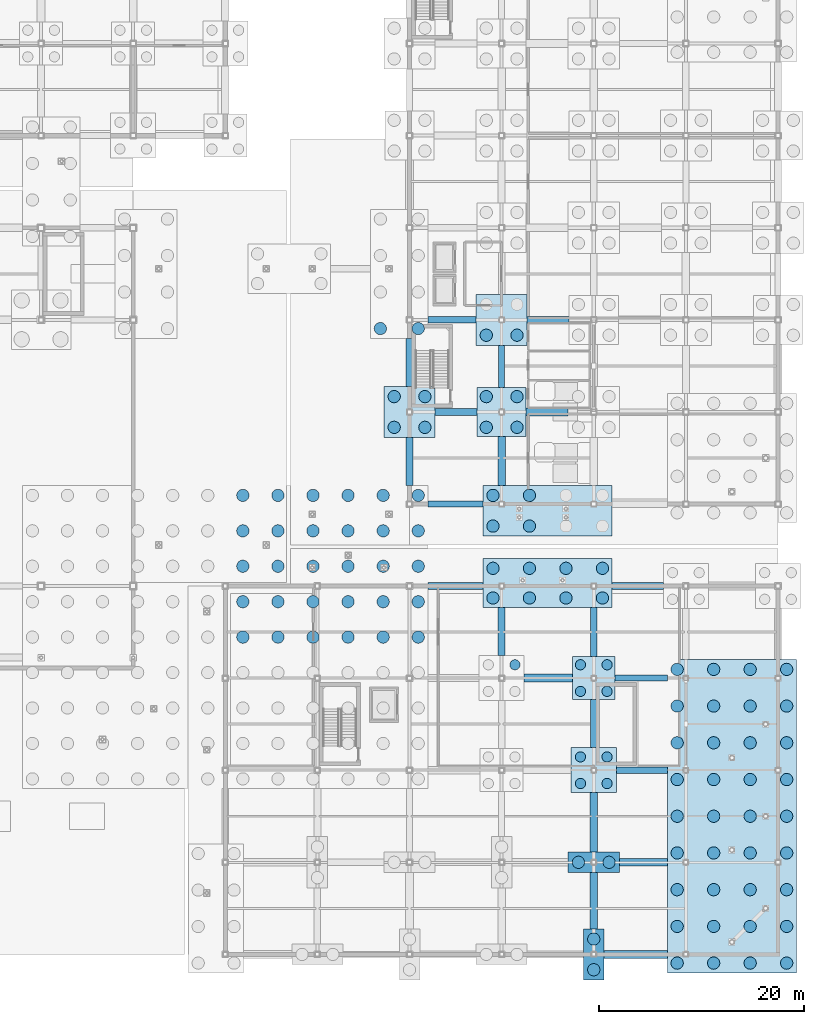
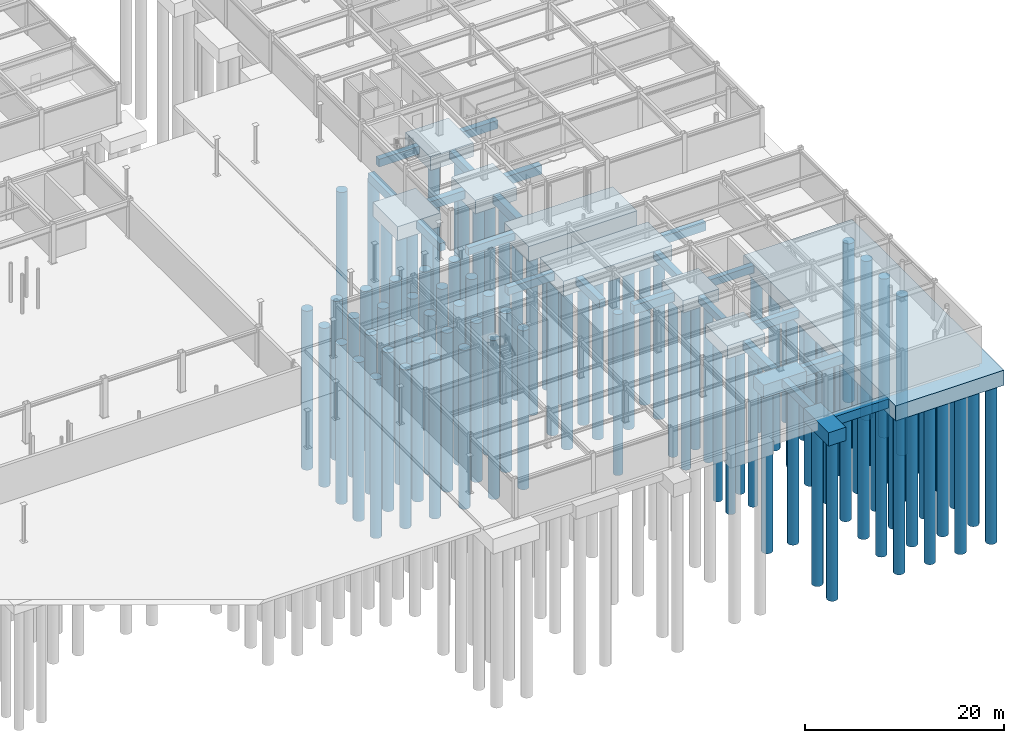
# One storey, part 9 of 74: 103 piles, 31 footings.
"""IFC4 building model written with IfcOpenShell, lengths in metres."""

from ifc_helpers import new_model, si_unit, direction, frame, origin, origin_2d, place, context, subcontext, project, spatial, polyline, rectangle, circle, outline, extrude, material, material_profile, profile_set, type_object, element, save


model = new_model("IFC4")

# Units and contexts
model_context = context("Model", 3, precision=1e-05, world=origin(), true_north=direction((0.0, 1.0)))
body_context = subcontext(model_context, "Body", "Model", "MODEL_VIEW")
ifc_project = project(units=[si_unit("LENGTHUNIT", "METRE"), si_unit("AREAUNIT", "SQUARE_METRE"), si_unit("VOLUMEUNIT", "CUBIC_METRE"), si_unit("PLANEANGLEUNIT", "RADIAN"), si_unit("MASSUNIT", "GRAM", prefix="KILO")], contexts=[model_context])

# Site, building, storey
site_placement = place(None, origin())
site = spatial("IfcSite", under=ifc_project, at=site_placement, CompositionType="ELEMENT")
building_placement = place(site_placement, origin())
building = spatial("IfcBuilding", under=site, at=building_placement, Name="Suzunagisa Mobility Hub", CompositionType="ELEMENT")
storey_placement = place(building_placement, frame((0.0, 0.0, -4.800048828125)))
storey = spatial("IfcBuildingStorey", under=building, at=storey_placement, Name="B1", CompositionType="ELEMENT", Elevation=-4.800048828125)

# Piles
ifc_material_1 = material(Name="Concrete C30/37", Category="concrete")
ifc_material_profile_1 = material_profile(ifc_material_1, circle(Radius=0.60009765625, at=origin_2d()), Name="BORED PILE D1200")
ifc_profile_set_1 = profile_set([ifc_material_profile_1], Name="Concrete C30/37")
pile_type_1 = type_object("IfcPileType", Name="Bored Pile PL-01 D1200", PredefinedType="BORED", material=ifc_profile_set_1)
for number, where, z_axis, x_axis, name in (
    (1, (127.713623046875, 31.0, -2.14990234375), (0.0, 0.0, -1.0), (1.0, 0.0, 0.0), "Bored Pile 82.59"),
    (2, (127.713623046875, 34.46240234375, -2.14990234375), (0.0, 0.0, -1.0), (1.0, 0.0, 0.0), "Bored Pile 82.60"),
    (3, (127.713623046875, 37.925048828125, -2.14990234375), (0.0, 0.0, -1.0), (1.0, 0.0, 0.0), "Bored Pile 82.61"),
    (4, (127.713623046875, 41.387451171875, -2.14990234375), (0.0, 0.0, -1.0), (1.0, 0.0, 0.0), "Bored Pile 82.62"),
    (5, (127.713623046875, 44.85009765625, -2.14990234375), (0.0, 0.0, -1.0), (1.0, 0.0, 0.0), "Bored Pile 82.63"),
    (6, (131.140869140625, 31.0, -2.14990234375), (0.0, 0.0, -1.0), (1.0, 0.0, 0.0), "Bored Pile 82.68"),
    (7, (131.140869140625, 34.46240234375, -2.14990234375), (0.0, 0.0, -1.0), (1.0, 0.0, 0.0), "Bored Pile 82.69"),
    (8, (131.140869140625, 37.925048828125, -2.14990234375), (0.0, 0.0, -1.0), (1.0, 0.0, 0.0), "Bored Pile 82.70"),
    (9, (131.140869140625, 41.387451171875, -2.14990234375), (0.0, 0.0, -1.0), (1.0, 0.0, 0.0), "Bored Pile 82.71"),
    (10, (131.140869140625, 44.85009765625, -2.14990234375), (0.0, 0.0, -1.0), (1.0, 0.0, 0.0), "Bored Pile 82.72"),
    (11, (134.568115234375, 31.0, -2.14990234375), (0.0, 0.0, -1.0), (1.0, 0.0, 0.0), "Bored Pile 82.77"),
    (12, (134.568115234375, 34.46240234375, -2.14990234375), (0.0, 0.0, -1.0), (1.0, 0.0, 0.0), "Bored Pile 82.78"),
    (13, (134.568115234375, 37.925048828125, -2.14990234375), (0.0, 0.0, -1.0), (1.0, 0.0, 0.0), "Bored Pile 82.79"),
    (14, (134.568115234375, 41.387451171875, -2.14990234375), (0.0, 0.0, -1.0), (1.0, 0.0, 0.0), "Bored Pile 82.80"),
    (15, (134.568115234375, 44.85009765625, -2.14990234375), (0.0, 0.0, -1.0), (1.0, 0.0, 0.0), "Bored Pile 82.81"),
    (16, (137.99560546875, 31.0, -2.14990234375), (0.0, 0.0, -1.0), (1.0, 0.0, 0.0), "Bored Pile 82.86"),
    (17, (137.99560546875, 34.46240234375, -2.14990234375), (0.0, 0.0, -1.0), (1.0, 0.0, 0.0), "Bored Pile 82.87"),
    (18, (137.99560546875, 37.925048828125, -2.14990234375), (0.0, 0.0, -1.0), (1.0, 0.0, 0.0), "Bored Pile 82.88"),
    (19, (137.99560546875, 41.387451171875, -2.14990234375), (0.0, 0.0, -1.0), (1.0, 0.0, 0.0), "Bored Pile 82.89"),
    (20, (137.99560546875, 44.85009765625, -2.14990234375), (0.0, 0.0, -1.0), (1.0, 0.0, 0.0), "Bored Pile 82.90"),
    (21, (141.422607421875, 31.0, -2.14990234375), (0.0, 0.0, -1.0), (1.0, 0.0, 0.0), "Bored Pile 82.95"),
    (22, (141.422607421875, 34.46240234375, -2.14990234375), (0.0, 0.0, -1.0), (1.0, 0.0, 0.0), "Bored Pile 82.96"),
    (23, (141.422607421875, 37.925048828125, -2.14990234375), (0.0, 0.0, -1.0), (1.0, 0.0, 0.0), "Bored Pile 82.97"),
    (24, (141.422607421875, 41.387451171875, -2.14990234375), (0.0, 0.0, -1.0), (1.0, 0.0, 0.0), "Bored Pile 82.98"),
    (25, (141.422607421875, 44.85009765625, -2.14990234375), (0.0, 0.0, -1.0), (1.0, 0.0, 0.0), "Bored Pile 82.99"),
    (26, (144.85009765625, 31.0, -2.14990234375), (0.0, 0.0, -1.0), (1.0, 0.0, 0.0), "Bored Pile 82.104"),
    (27, (144.85009765625, 34.46240234375, -2.14990234375), (0.0, 0.0, -1.0), (1.0, 0.0, 0.0), "Bored Pile 82.105"),
    (28, (144.85009765625, 37.925048828125, -2.14990234375), (0.0, 0.0, -1.0), (1.0, 0.0, 0.0), "Bored Pile 82.106"),
    (29, (144.85009765625, 41.387451171875, -2.14990234375), (0.0, 0.0, -1.0), (1.0, 0.0, 0.0), "Bored Pile 82.107"),
    (30, (144.85009765625, 44.85009765625, -2.14990234375), (0.0, 0.0, -1.0), (1.0, 0.0, 0.0), "Bored Pile 82.108"),
    (31, (141.14990234375, 61.14990234375, -2.14990234375), (0.0, 0.0, -1.0), (1.0, 0.0, 0.0), "Bored Pile 101.1"),
    (32, (144.85009765625, 61.14990234375, -2.14990234375), (0.0, 0.0, -1.0), (1.0, 0.0, 0.0), "Bored Pile 101.5"),
):
    element("IfcPile", number, at=place(storey_placement, frame(where, z_axis=z_axis, x_axis=x_axis)), inside=storey, type_object=pile_type_1, Name=name, PredefinedType="BORED", context=body_context, shape_type="SweptSolid", body=[
        extrude(circle(Radius=0.60009765625, at=origin_2d()), origin(), (0.0, 0.0, 1.0), 19.550048828125),
    ])
for number, where, z_axis, x_axis, name in (
    (33, (142.5, 51.5, -2.0), (0.0, 0.0, -1.0), (1.0, 0.0, 0.0), "Bored Pile 104.1"),
    (34, (145.5, 51.5, -2.0), (0.0, 0.0, -1.0), (1.0, 0.0, 0.0), "Bored Pile 104.2"),
    (35, (142.5, 54.5, -2.0), (0.0, 0.0, -1.0), (1.0, 0.0, 0.0), "Bored Pile 104.3"),
    (36, (145.5, 54.5, -2.0), (0.0, 0.0, -1.0), (1.0, 0.0, 0.0), "Bored Pile 104.4"),
):
    element("IfcPile", number, at=place(storey_placement, frame(where, z_axis=z_axis, x_axis=x_axis)), inside=storey, type_object=pile_type_1, Name=name, PredefinedType="BORED", context=body_context, shape_type="SweptSolid", body=[
        extrude(circle(Radius=0.60009765625, at=origin_2d()), origin(), (0.0, 0.0, 1.0), 19.699951171875),
    ])
for number, where, z_axis, x_axis, name in (
    (37, (152.14990234375, 34.824951171875, -2.14990234375), (0.0, 0.0, -1.0), (1.0, 0.0, 0.0), "Bored Pile 113.1"),
    (38, (152.14990234375, 37.72509765625, -2.14990234375), (0.0, 0.0, -1.0), (1.0, 0.0, 0.0), "Bored Pile 113.2"),
    (39, (155.716796875, 34.824951171875, -2.14990234375), (0.0, 0.0, -1.0), (1.0, 0.0, 0.0), "Bored Pile 113.3"),
    (40, (155.716796875, 37.72509765625, -2.14990234375), (0.0, 0.0, -1.0), (1.0, 0.0, 0.0), "Bored Pile 113.4"),
    (41, (159.283203125, 34.824951171875, -2.14990234375), (0.0, 0.0, -1.0), (1.0, 0.0, 0.0), "Bored Pile 113.5"),
    (42, (159.283203125, 37.72509765625, -2.14990234375), (0.0, 0.0, -1.0), (1.0, 0.0, 0.0), "Bored Pile 113.6"),
    (43, (162.85009765625, 34.824951171875, -2.14990234375), (0.0, 0.0, -1.0), (1.0, 0.0, 0.0), "Bored Pile 113.7"),
    (44, (162.85009765625, 37.72509765625, -2.14990234375), (0.0, 0.0, -1.0), (1.0, 0.0, 0.0), "Bored Pile 113.8"),
    (45, (152.14990234375, 41.85009765625, -2.14990234375), (0.0, 0.0, -1.0), (1.0, 0.0, 0.0), "Bored Pile 114.1"),
    (46, (152.14990234375, 44.85009765625, -2.14990234375), (0.0, 0.0, -1.0), (1.0, 0.0, 0.0), "Bored Pile 114.2"),
    (47, (155.716796875, 41.85009765625, -2.14990234375), (0.0, 0.0, -1.0), (1.0, 0.0, 0.0), "Bored Pile 114.3"),
    (48, (155.716796875, 44.85009765625, -2.14990234375), (0.0, 0.0, -1.0), (1.0, 0.0, 0.0), "Bored Pile 114.4"),
):
    element("IfcPile", number, at=place(storey_placement, frame(where, z_axis=z_axis, x_axis=x_axis)), inside=storey, type_object=pile_type_1, Name=name, PredefinedType="BORED", context=body_context, shape_type="SweptSolid", body=[
        extrude(circle(Radius=0.60009765625, at=origin_2d()), origin(), (0.0, 0.0, 1.0), 19.550048828125),
    ])
for number, where, z_axis, x_axis, name in (
    (49, (151.5, 51.5, -1.949951171875), (0.0, 0.0, -1.0), (1.0, 0.0, 0.0), "Bored Pile 115.1"),
    (50, (154.5, 51.5, -1.949951171875), (0.0, 0.0, -1.0), (1.0, 0.0, 0.0), "Bored Pile 115.2"),
    (51, (151.5, 54.5, -1.949951171875), (0.0, 0.0, -1.0), (1.0, 0.0, 0.0), "Bored Pile 115.3"),
    (52, (154.5, 54.5, -1.949951171875), (0.0, 0.0, -1.0), (1.0, 0.0, 0.0), "Bored Pile 115.4"),
):
    element("IfcPile", number, at=place(storey_placement, frame(where, z_axis=z_axis, x_axis=x_axis)), inside=storey, type_object=pile_type_1, Name=name, PredefinedType="BORED", context=body_context, shape_type="SweptSolid", body=[
        extrude(circle(Radius=0.60009765625, at=origin_2d()), origin(), (0.0, 0.0, 1.0), 19.75),
    ])
for number, where, z_axis, x_axis, name in (
    (53, (151.5, 60.5, -2.0), (0.0, 0.0, -1.0), (1.0, 0.0, 0.0), "Bored Pile 116.1"),
    (54, (154.5, 60.5, -2.0), (0.0, 0.0, -1.0), (1.0, 0.0, 0.0), "Bored Pile 116.2"),
):
    element("IfcPile", number, at=place(storey_placement, frame(where, z_axis=z_axis, x_axis=x_axis)), inside=storey, type_object=pile_type_1, Name=name, PredefinedType="BORED", context=body_context, shape_type="SweptSolid", body=[
        extrude(circle(Radius=0.60009765625, at=origin_2d()), origin(), (0.0, 0.0, 1.0), 19.699951171875),
    ])
for number, where, z_axis, x_axis, name in (
    (55, (162.0, -1.5, -1.949951171875), (0.0, 0.0, -1.0), (1.0, 0.0, 0.0), "Bored Pile 122.1"),
    (56, (162.0, 1.5, -1.949951171875), (0.0, 0.0, -1.0), (1.0, 0.0, 0.0), "Bored Pile 122.2"),
):
    element("IfcPile", number, at=place(storey_placement, frame(where, z_axis=z_axis, x_axis=x_axis)), inside=storey, type_object=pile_type_1, Name=name, PredefinedType="BORED", context=body_context, shape_type="SweptSolid", body=[
        extrude(circle(Radius=0.60009765625, at=origin_2d()), origin(), (0.0, 0.0, 1.0), 19.75),
    ])
for number, where, z_axis, x_axis, name in (
    (57, (160.5, 9.0, -1.89990234375), (0.0, 0.0, -1.0), (1.0, 0.0, 0.0), "Bored Pile 123.1"),
    (58, (163.5, 9.0, -1.89990234375), (0.0, 0.0, -1.0), (1.0, 0.0, 0.0), "Bored Pile 123.2"),
):
    element("IfcPile", number, at=place(storey_placement, frame(where, z_axis=z_axis, x_axis=x_axis)), inside=storey, type_object=pile_type_1, Name=name, PredefinedType="BORED", context=body_context, shape_type="SweptSolid", body=[
        extrude(circle(Radius=0.60009765625, at=origin_2d()), origin(), (0.0, 0.0, 1.0), 19.800048828125),
    ])
for number, where, z_axis, x_axis, name in (
    (59, (170.14990234375, -0.85009765625, -2.14990234375), (0.0, 0.0, -1.0), (1.0, 0.0, 0.0), "Bored Pile 133.1"),
    (60, (170.14990234375, 2.737548828125, -2.14990234375), (0.0, 0.0, -1.0), (1.0, 0.0, 0.0), "Bored Pile 133.2"),
    (61, (170.14990234375, 6.324951171875, -2.14990234375), (0.0, 0.0, -1.0), (1.0, 0.0, 0.0), "Bored Pile 133.3"),
    (62, (170.14990234375, 9.91259765625, -2.14990234375), (0.0, 0.0, -1.0), (1.0, 0.0, 0.0), "Bored Pile 133.4"),
    (63, (170.14990234375, 13.5, -2.14990234375), (0.0, 0.0, -1.0), (1.0, 0.0, 0.0), "Bored Pile 133.5"),
    (64, (170.14990234375, 17.08740234375, -2.14990234375), (0.0, 0.0, -1.0), (1.0, 0.0, 0.0), "Bored Pile 133.6"),
    (65, (170.14990234375, 20.675048828125, -2.14990234375), (0.0, 0.0, -1.0), (1.0, 0.0, 0.0), "Bored Pile 133.7"),
    (66, (170.14990234375, 24.262451171875, -2.14990234375), (0.0, 0.0, -1.0), (1.0, 0.0, 0.0), "Bored Pile 133.8"),
    (67, (170.14990234375, 27.85009765625, -2.14990234375), (0.0, 0.0, -1.0), (1.0, 0.0, 0.0), "Bored Pile 133.9"),
    (68, (173.716796875, -0.85009765625, -2.14990234375), (0.0, 0.0, -1.0), (1.0, 0.0, 0.0), "Bored Pile 133.10"),
    (69, (173.716796875, 2.737548828125, -2.14990234375), (0.0, 0.0, -1.0), (1.0, 0.0, 0.0), "Bored Pile 133.11"),
    (70, (173.716796875, 6.324951171875, -2.14990234375), (0.0, 0.0, -1.0), (1.0, 0.0, 0.0), "Bored Pile 133.12"),
    (71, (173.716796875, 9.91259765625, -2.14990234375), (0.0, 0.0, -1.0), (1.0, 0.0, 0.0), "Bored Pile 133.13"),
    (72, (173.716796875, 13.5, -2.14990234375), (0.0, 0.0, -1.0), (1.0, 0.0, 0.0), "Bored Pile 133.14"),
    (73, (173.716796875, 17.08740234375, -2.14990234375), (0.0, 0.0, -1.0), (1.0, 0.0, 0.0), "Bored Pile 133.15"),
    (74, (173.716796875, 20.675048828125, -2.14990234375), (0.0, 0.0, -1.0), (1.0, 0.0, 0.0), "Bored Pile 133.16"),
    (75, (173.716796875, 24.262451171875, -2.14990234375), (0.0, 0.0, -1.0), (1.0, 0.0, 0.0), "Bored Pile 133.17"),
    (76, (173.716796875, 27.85009765625, -2.14990234375), (0.0, 0.0, -1.0), (1.0, 0.0, 0.0), "Bored Pile 133.18"),
    (77, (177.283203125, -0.85009765625, -2.14990234375), (0.0, 0.0, -1.0), (1.0, 0.0, 0.0), "Bored Pile 133.19"),
    (78, (177.283203125, 2.737548828125, -2.14990234375), (0.0, 0.0, -1.0), (1.0, 0.0, 0.0), "Bored Pile 133.20"),
    (79, (177.283203125, 6.324951171875, -2.14990234375), (0.0, 0.0, -1.0), (1.0, 0.0, 0.0), "Bored Pile 133.21"),
    (80, (177.283203125, 9.91259765625, -2.14990234375), (0.0, 0.0, -1.0), (1.0, 0.0, 0.0), "Bored Pile 133.22"),
    (81, (177.283203125, 13.5, -2.14990234375), (0.0, 0.0, -1.0), (1.0, 0.0, 0.0), "Bored Pile 133.23"),
    (82, (177.283203125, 17.08740234375, -2.14990234375), (0.0, 0.0, -1.0), (1.0, 0.0, 0.0), "Bored Pile 133.24"),
    (83, (177.283203125, 20.675048828125, -2.14990234375), (0.0, 0.0, -1.0), (1.0, 0.0, 0.0), "Bored Pile 133.25"),
    (84, (177.283203125, 24.262451171875, -2.14990234375), (0.0, 0.0, -1.0), (1.0, 0.0, 0.0), "Bored Pile 133.26"),
    (85, (177.283203125, 27.85009765625, -2.14990234375), (0.0, 0.0, -1.0), (1.0, 0.0, 0.0), "Bored Pile 133.27"),
    (86, (180.85009765625, -0.85009765625, -2.14990234375), (0.0, 0.0, -1.0), (1.0, 0.0, 0.0), "Bored Pile 133.28"),
    (87, (180.85009765625, 2.737548828125, -2.14990234375), (0.0, 0.0, -1.0), (1.0, 0.0, 0.0), "Bored Pile 133.29"),
    (88, (180.85009765625, 6.324951171875, -2.14990234375), (0.0, 0.0, -1.0), (1.0, 0.0, 0.0), "Bored Pile 133.30"),
    (89, (180.85009765625, 9.91259765625, -2.14990234375), (0.0, 0.0, -1.0), (1.0, 0.0, 0.0), "Bored Pile 133.31"),
    (90, (180.85009765625, 13.5, -2.14990234375), (0.0, 0.0, -1.0), (1.0, 0.0, 0.0), "Bored Pile 133.32"),
    (91, (180.85009765625, 17.08740234375, -2.14990234375), (0.0, 0.0, -1.0), (1.0, 0.0, 0.0), "Bored Pile 133.33"),
    (92, (180.85009765625, 20.675048828125, -2.14990234375), (0.0, 0.0, -1.0), (1.0, 0.0, 0.0), "Bored Pile 133.34"),
    (93, (180.85009765625, 24.262451171875, -2.14990234375), (0.0, 0.0, -1.0), (1.0, 0.0, 0.0), "Bored Pile 133.35"),
    (94, (180.85009765625, 27.85009765625, -2.14990234375), (0.0, 0.0, -1.0), (1.0, 0.0, 0.0), "Bored Pile 133.36"),
):
    element("IfcPile", number, at=place(storey_placement, frame(where, z_axis=z_axis, x_axis=x_axis)), inside=storey, type_object=pile_type_1, Name=name, PredefinedType="BORED", context=body_context, shape_type="SweptSolid", body=[
        extrude(circle(Radius=0.60009765625, at=origin_2d()), origin(), (0.0, 0.0, 1.0), 19.550048828125),
    ])
ifc_material_profile_2 = material_profile(ifc_material_1, circle(Radius=0.5, at=origin_2d()), Name="BORED PILE D1000")
ifc_profile_set_2 = profile_set([ifc_material_profile_2], Name="Concrete C30/37")
pile_type_2 = type_object("IfcPileType", Name="Bored Pile PL-02 D1000", PredefinedType="BORED", material=ifc_profile_set_2)
for number, where, z_axis, x_axis, name in (
    (95, (154.300048828125, 28.300048828125, -1.89990234375), (0.0, 0.0, -1.0), (1.0, 0.0, 0.0), "Bored Pile 112.4"),
    (96, (160.699951171875, 16.699951171875, -1.89990234375), (0.0, 0.0, -1.0), (1.0, 0.0, 0.0), "Bored Pile 124.1"),
    (97, (163.300048828125, 16.699951171875, -1.89990234375), (0.0, 0.0, -1.0), (1.0, 0.0, 0.0), "Bored Pile 124.2"),
    (98, (160.699951171875, 19.300048828125, -1.89990234375), (0.0, 0.0, -1.0), (1.0, 0.0, 0.0), "Bored Pile 124.3"),
    (99, (163.300048828125, 19.300048828125, -1.89990234375), (0.0, 0.0, -1.0), (1.0, 0.0, 0.0), "Bored Pile 124.4"),
):
    element("IfcPile", number, at=place(storey_placement, frame(where, z_axis=z_axis, x_axis=x_axis)), inside=storey, type_object=pile_type_2, Name=name, PredefinedType="BORED", context=body_context, shape_type="SweptSolid", body=[
        extrude(circle(Radius=0.5, at=origin_2d()), origin(), (0.0, 0.0, 1.0), 19.800048828125),
    ])
for number, where, z_axis, x_axis, name in (
    (100, (160.699951171875, 25.699951171875, -1.800048828125), (0.0, 0.0, -1.0), (1.0, 0.0, 0.0), "Bored Pile 125.1"),
    (101, (163.300048828125, 25.699951171875, -1.800048828125), (0.0, 0.0, -1.0), (1.0, 0.0, 0.0), "Bored Pile 125.2"),
    (102, (160.699951171875, 28.300048828125, -1.800048828125), (0.0, 0.0, -1.0), (1.0, 0.0, 0.0), "Bored Pile 125.3"),
    (103, (163.300048828125, 28.300048828125, -1.800048828125), (0.0, 0.0, -1.0), (1.0, 0.0, 0.0), "Bored Pile 125.4"),
):
    element("IfcPile", number, at=place(storey_placement, frame(where, z_axis=z_axis, x_axis=x_axis)), inside=storey, type_object=pile_type_2, Name=name, PredefinedType="BORED", context=body_context, shape_type="SweptSolid", body=[
        extrude(circle(Radius=0.5, at=origin_2d()), origin(), (0.0, 0.0, 1.0), 19.89990234375),
    ])

# Footings
ifc_material_2 = material(Name="Concrete C35/45", Category="concrete")
footing_type_1 = type_object("IfcFootingType", Name="Combined Prow Pile Cap FR-22 12600x4800x1850", PredefinedType="PILE_CAP", material=ifc_material_2)
footing_1_placement = place(storey_placement, frame((157.5, 36.27490234375, -2.300048828125), z_axis=(0.0, 0.0, 1.0), x_axis=(1.0, 0.0, 0.0)))
element("IfcFooting", 104, at=footing_1_placement, inside=storey, type_object=footing_type_1, Name="Combined Prow Pile Cap 113", PredefinedType="PILE_CAP", context=body_context, shape_type="SweptSolid", body=[
    extrude(rectangle(XDim=12.60009765625, YDim=4.800048828125, at=origin_2d()), origin(), (0.0, 0.0, 1.0), 1.85009765625),
])
footing_type_2 = type_object("IfcFootingType", Name="Combined Prow Pile Cap FR-23 12600x4900x1850", PredefinedType="PILE_CAP", material=ifc_material_2)
footing_2_placement = place(storey_placement, frame((157.5, 43.35009765625, -2.300048828125), z_axis=(0.0, 0.0, 1.0), x_axis=(1.0, 0.0, 0.0)))
element("IfcFooting", 105, at=footing_2_placement, inside=storey, type_object=footing_type_2, Name="Combined Prow Pile Cap 114", PredefinedType="PILE_CAP", context=body_context, shape_type="SweptSolid", body=[
    extrude(rectangle(XDim=12.60009765625, YDim=4.89990234375, at=origin_2d()), origin(), (0.0, 0.0, 1.0), 1.85009765625),
])
footing_type_3 = type_object("IfcFootingType", Name="Combined Prow Pile Cap FR-24 12600x30600x1850", PredefinedType="PILE_CAP", material=ifc_material_2)
footing_3_placement = place(storey_placement, frame((175.5, 13.5, -2.300048828125), z_axis=(0.0, 0.0, 1.0), x_axis=(1.0, 0.0, 0.0)))
element("IfcFooting", 106, at=footing_3_placement, inside=storey, type_object=footing_type_3, Name="Combined Prow Pile Cap 133", PredefinedType="PILE_CAP", context=body_context, shape_type="SweptSolid", body=[
    extrude(rectangle(XDim=12.60009765625, YDim=30.60009765625, at=origin_2d()), origin(), (0.0, 0.0, 1.0), 1.85009765625),
])
footing_type_4 = type_object("IfcFootingType", Name="Ground Tie Beam FT-03 750x1100", PredefinedType="FOOTING_BEAM", material=ifc_material_2)
footing_4_placement = place(storey_placement, frame((0.0, 0.0, -1.550048828125)))
element("IfcFooting", 107, at=footing_4_placement, inside=storey, type_object=footing_type_4, Name="Foundation Tie Beam TBX-8", PredefinedType="FOOTING_BEAM", context=body_context, shape_type="SweptSolid", body=[
    extrude(outline(polyline([(163.0, -0.375), (169.199951171875, -0.375), (169.199951171875, 0.375), (163.0, 0.375), (163.0, -0.375)])), origin(), (0.0, 0.0, 1.0), 1.10009765625),
])
footing_5_placement = place(storey_placement, frame((0.0, 0.0, -1.550048828125)))
element("IfcFooting", 108, at=footing_5_placement, inside=storey, type_object=footing_type_4, Name="Foundation Tie Beam TBX-16", PredefinedType="FOOTING_BEAM", context=body_context, shape_type="SweptSolid", body=[
    extrude(outline(polyline([(164.5, 8.625), (169.199951171875, 8.625), (169.199951171875, 9.375), (164.5, 9.375), (164.5, 8.625)])), origin(), (0.0, 0.0, 1.0), 1.10009765625),
])
footing_6_placement = place(storey_placement, frame((0.0, 0.0, -1.550048828125)))
element("IfcFooting", 109, at=footing_6_placement, inside=storey, type_object=footing_type_4, Name="Foundation Tie Beam TBX-28", PredefinedType="FOOTING_BEAM", context=body_context, shape_type="SweptSolid", body=[
    extrude(outline(polyline([(155.199951171875, 26.625), (159.89990234375, 26.625), (159.89990234375, 27.375), (155.199951171875, 27.375), (155.199951171875, 26.625)])), origin(), (0.0, 0.0, 1.0), 1.10009765625),
])
footing_7_placement = place(storey_placement, frame((0.0, 0.0, -1.550048828125)))
element("IfcFooting", 110, at=footing_7_placement, inside=storey, type_object=footing_type_4, Name="Foundation Tie Beam TBX-60", PredefinedType="FOOTING_BEAM", context=body_context, shape_type="SweptSolid", body=[
    extrude(outline(polyline([(155.39990234375, 52.625), (159.5, 52.625), (159.5, 53.375), (155.39990234375, 53.375), (155.39990234375, 52.625)])), origin(), (0.0, 0.0, 1.0), 1.10009765625),
])
footing_8_placement = place(storey_placement, frame((0.0, 0.0, -1.550048828125)))
element("IfcFooting", 111, at=footing_8_placement, inside=storey, type_object=footing_type_4, Name="Foundation Tie Beam TBY-236", PredefinedType="FOOTING_BEAM", context=body_context, shape_type="SweptSolid", body=[
    extrude(outline(polyline([(152.625, 45.800048828125), (153.375, 45.800048828125), (153.375, 50.60009765625), (152.625, 50.60009765625), (152.625, 45.800048828125)])), origin(), (0.0, 0.0, 1.0), 1.10009765625),
])
footing_9_placement = place(storey_placement, frame((0.0, 0.0, -1.550048828125)))
element("IfcFooting", 112, at=footing_9_placement, inside=storey, type_object=footing_type_4, Name="Foundation Tie Beam TBY-244", PredefinedType="FOOTING_BEAM", context=body_context, shape_type="SweptSolid", body=[
    extrude(outline(polyline([(161.625, 10.0), (162.375, 10.0), (162.375, 15.800048828125), (161.625, 15.800048828125), (161.625, 10.0)])), origin(), (0.0, 0.0, 1.0), 1.10009765625),
])
footing_type_5 = type_object("IfcFootingType", Name="Ground Tie Beam FT-05 600x900", PredefinedType="FOOTING_BEAM", material=ifc_material_2)
footing_10_placement = place(storey_placement, frame((0.0, 0.0, -1.349853515625)))
element("IfcFooting", 113, at=footing_10_placement, inside=storey, type_object=footing_type_5, Name="Foundation Tie Beam TBX-29", PredefinedType="FOOTING_BEAM", context=body_context, shape_type="SweptSolid", body=[
    extrude(outline(polyline([(164.10009765625, 26.699951171875), (169.199951171875, 26.699951171875), (169.199951171875, 27.300048828125), (164.10009765625, 27.300048828125), (164.10009765625, 26.699951171875)])), origin(), (0.0, 0.0, 1.0), 0.89990234375),
])
footing_11_placement = place(storey_placement, frame((0.0, 0.0, -1.349853515625)))
element("IfcFooting", 114, at=footing_11_placement, inside=storey, type_object=footing_type_5, Name="Foundation Tie Beam TBX-53", PredefinedType="FOOTING_BEAM", context=body_context, shape_type="SweptSolid", body=[
    extrude(outline(polyline([(145.800048828125, 43.699951171875), (151.199951171875, 43.699951171875), (151.199951171875, 44.300048828125), (145.800048828125, 44.300048828125), (145.800048828125, 43.699951171875)])), origin(), (0.0, 0.0, 1.0), 0.89990234375),
])
footing_12_placement = place(storey_placement, frame((0.0, 0.0, -1.349853515625)))
element("IfcFooting", 115, at=footing_12_placement, inside=storey, type_object=footing_type_5, Name="Foundation Tie Beam TBY-237", PredefinedType="FOOTING_BEAM", context=body_context, shape_type="SweptSolid", body=[
    extrude(outline(polyline([(152.699951171875, 55.39990234375), (153.300048828125, 55.39990234375), (153.300048828125, 59.5), (152.699951171875, 59.5), (152.699951171875, 55.39990234375)])), origin(), (0.0, 0.0, 1.0), 0.89990234375),
])
footing_13_placement = place(storey_placement, frame((0.0, 0.0, -1.349853515625)))
element("IfcFooting", 116, at=footing_13_placement, inside=storey, type_object=footing_type_5, Name="Foundation Tie Beam TBY-245", PredefinedType="FOOTING_BEAM", context=body_context, shape_type="SweptSolid", body=[
    extrude(outline(polyline([(161.699951171875, 20.199951171875), (162.300048828125, 20.199951171875), (162.300048828125, 24.89990234375), (161.699951171875, 24.89990234375), (161.699951171875, 20.199951171875)])), origin(), (0.0, 0.0, 1.0), 0.89990234375),
])
footing_type_6 = type_object("IfcFootingType", Name="Ground Tie Beam FT-07 650x950", PredefinedType="FOOTING_BEAM", material=ifc_material_2)
footing_14_placement = place(storey_placement, frame((0.0, 0.0, -1.39990234375)))
element("IfcFooting", 117, at=footing_14_placement, inside=storey, type_object=footing_type_6, Name="Foundation Tie Beam TBX-22", PredefinedType="FOOTING_BEAM", context=body_context, shape_type="SweptSolid", body=[
    extrude(outline(polyline([(164.199951171875, 17.675048828125), (169.199951171875, 17.675048828125), (169.199951171875, 18.324951171875), (164.199951171875, 18.324951171875), (164.199951171875, 17.675048828125)])), origin(), (0.0, 0.0, 1.0), 0.949951171875),
])
footing_15_placement = place(storey_placement, frame((0.0, 0.0, -1.39990234375)))
element("IfcFooting", 118, at=footing_15_placement, inside=storey, type_object=footing_type_6, Name="Foundation Tie Beam TBX-46", PredefinedType="FOOTING_BEAM", context=body_context, shape_type="SweptSolid", body=[
    extrude(outline(polyline([(145.800048828125, 35.675048828125), (151.199951171875, 35.675048828125), (151.199951171875, 36.324951171875), (145.800048828125, 36.324951171875), (145.800048828125, 35.675048828125)])), origin(), (0.0, 0.0, 1.0), 0.949951171875),
])
footing_16_placement = place(storey_placement, frame((0.0, 0.0, -1.39990234375)))
element("IfcFooting", 119, at=footing_16_placement, inside=storey, type_object=footing_type_6, Name="Foundation Tie Beam TBX-74", PredefinedType="FOOTING_BEAM", context=body_context, shape_type="SweptSolid", body=[
    extrude(outline(polyline([(145.800048828125, 61.675048828125), (150.5, 61.675048828125), (150.5, 62.324951171875), (145.800048828125, 62.324951171875), (145.800048828125, 61.675048828125)])), origin(), (0.0, 0.0, 1.0), 0.949951171875),
])
footing_17_placement = place(storey_placement, frame((0.0, 0.0, -1.39990234375)))
element("IfcFooting", 120, at=footing_17_placement, inside=storey, type_object=footing_type_6, Name="Foundation Tie Beam TBY-226", PredefinedType="FOOTING_BEAM", context=body_context, shape_type="SweptSolid", body=[
    extrude(outline(polyline([(143.675048828125, 45.800048828125), (144.324951171875, 45.800048828125), (144.324951171875, 50.5), (143.675048828125, 50.5), (143.675048828125, 45.800048828125)])), origin(), (0.0, 0.0, 1.0), 0.949951171875),
])
footing_18_placement = place(storey_placement, frame((0.0, 0.0, -1.39990234375)))
element("IfcFooting", 121, at=footing_18_placement, inside=storey, type_object=footing_type_6, Name="Foundation Tie Beam TBY-246", PredefinedType="FOOTING_BEAM", context=body_context, shape_type="SweptSolid", body=[
    extrude(outline(polyline([(161.675048828125, 29.10009765625), (162.324951171875, 29.10009765625), (162.324951171875, 33.875), (161.675048828125, 33.875), (161.675048828125, 29.10009765625)])), origin(), (0.0, 0.0, 1.0), 0.949951171875),
])
footing_type_7 = type_object("IfcFootingType", Name="Ground Tie Beam FT-23 700x1000", PredefinedType="FOOTING_BEAM", material=ifc_material_2)
footing_19_placement = place(storey_placement, frame((0.0, 0.0, -1.449951171875)))
element("IfcFooting", 122, at=footing_19_placement, inside=storey, type_object=footing_type_7, Name="Foundation Tie Beam TBX-47", PredefinedType="FOOTING_BEAM", context=body_context, shape_type="SweptSolid", body=[
    extrude(outline(polyline([(163.800048828125, 35.64990234375), (168.800048828125, 35.64990234375), (168.800048828125, 36.35009765625), (163.800048828125, 36.35009765625), (163.800048828125, 35.64990234375)])), origin(), (0.0, 0.0, 1.0), 1.0),
])
footing_20_placement = place(storey_placement, frame((0.0, 0.0, -1.449951171875)))
element("IfcFooting", 123, at=footing_20_placement, inside=storey, type_object=footing_type_7, Name="Foundation Tie Beam TBX-59", PredefinedType="FOOTING_BEAM", context=body_context, shape_type="SweptSolid", body=[
    extrude(outline(polyline([(146.5, 52.64990234375), (150.60009765625, 52.64990234375), (150.60009765625, 53.35009765625), (146.5, 53.35009765625), (146.5, 52.64990234375)])), origin(), (0.0, 0.0, 1.0), 1.0),
])
footing_21_placement = place(storey_placement, frame((0.0, 0.0, -1.449951171875)))
element("IfcFooting", 124, at=footing_21_placement, inside=storey, type_object=footing_type_7, Name="Foundation Tie Beam TBX-75", PredefinedType="FOOTING_BEAM", context=body_context, shape_type="SweptSolid", body=[
    extrude(outline(polyline([(155.5, 61.64990234375), (159.60009765625, 61.64990234375), (159.60009765625, 62.35009765625), (155.5, 62.35009765625), (155.5, 61.64990234375)])), origin(), (0.0, 0.0, 1.0), 1.0),
])
footing_22_placement = place(storey_placement, frame((0.0, 0.0, -1.449951171875)))
element("IfcFooting", 125, at=footing_22_placement, inside=storey, type_object=footing_type_7, Name="Foundation Tie Beam TBY-227", PredefinedType="FOOTING_BEAM", context=body_context, shape_type="SweptSolid", body=[
    extrude(outline(polyline([(143.64990234375, 55.5), (144.35009765625, 55.5), (144.35009765625, 60.199951171875), (143.64990234375, 60.199951171875), (143.64990234375, 55.5)])), origin(), (0.0, 0.0, 1.0), 1.0),
])
footing_23_placement = place(storey_placement, frame((0.0, 0.0, -1.449951171875)))
element("IfcFooting", 126, at=footing_23_placement, inside=storey, type_object=footing_type_7, Name="Foundation Tie Beam TBY-235", PredefinedType="FOOTING_BEAM", context=body_context, shape_type="SweptSolid", body=[
    extrude(outline(polyline([(152.64990234375, 29.199951171875), (153.35009765625, 29.199951171875), (153.35009765625, 33.875), (152.64990234375, 33.875), (152.64990234375, 29.199951171875)])), origin(), (0.0, 0.0, 1.0), 1.0),
])
footing_24_placement = place(storey_placement, frame((0.0, 0.0, -1.449951171875)))
element("IfcFooting", 127, at=footing_24_placement, inside=storey, type_object=footing_type_7, Name="Foundation Tie Beam TBY-243", PredefinedType="FOOTING_BEAM", context=body_context, shape_type="SweptSolid", body=[
    extrude(outline(polyline([(161.64990234375, 2.5), (162.35009765625, 2.5), (162.35009765625, 8.0), (161.64990234375, 8.0), (161.64990234375, 2.5)])), origin(), (0.0, 0.0, 1.0), 1.0),
])
footing_type_8 = type_object("IfcFootingType", Name="Pile Cap FT-01 5000x5000x1700", PredefinedType="PILE_CAP", material=ifc_material_2)
for number, where, z_axis, x_axis, name in (
    (128, (144.0, 53.0, -2.14990234375), (0.0, 0.0, 1.0), (1.0, 0.0, 0.0), "Pile Cap 104"),
    (129, (153.0, 62.0, -2.14990234375), (0.0, 0.0, 1.0), (1.0, 0.0, 0.0), "Pile Cap 116"),
):
    element("IfcFooting", number, at=place(storey_placement, frame(where, z_axis=z_axis, x_axis=x_axis)), inside=storey, type_object=footing_type_8, Name=name, PredefinedType="PILE_CAP", context=body_context, shape_type="SweptSolid", body=[
        extrude(rectangle(XDim=5.0, YDim=5.0, at=origin_2d()), origin(), (0.0, 0.0, 1.0), 1.699951171875),
    ])
footing_type_9 = type_object("IfcFootingType", Name="Pile Cap FT-06 5000x2000x1600", PredefinedType="PILE_CAP", material=ifc_material_2)
footing_25_placement = place(storey_placement, frame((162.0, 9.0, -2.050048828125), z_axis=(0.0, 0.0, 1.0), x_axis=(1.0, 0.0, 0.0)))
element("IfcFooting", 130, at=footing_25_placement, inside=storey, type_object=footing_type_9, Name="Pile Cap 123", PredefinedType="PILE_CAP", context=body_context, shape_type="SweptSolid", body=[
    extrude(rectangle(XDim=5.0, YDim=2.0, at=origin_2d()), origin(), (0.0, 0.0, 1.0), 1.60009765625),
])
footing_type_10 = type_object("IfcFootingType", Name="Pile Cap FT-12 2000x5000x1650", PredefinedType="PILE_CAP", material=ifc_material_2)
footing_26_placement = place(storey_placement, frame((162.0, 0.0, -2.099853515625), z_axis=(0.0, 0.0, 1.0), x_axis=(1.0, 0.0, 0.0)))
element("IfcFooting", 131, at=footing_26_placement, inside=storey, type_object=footing_type_10, Name="Pile Cap 122", PredefinedType="PILE_CAP", context=body_context, shape_type="SweptSolid", body=[
    extrude(rectangle(XDim=2.0, YDim=5.0, at=origin_2d()), origin(), (0.0, 0.0, 1.0), 1.64990234375),
])
footing_type_11 = type_object("IfcFootingType", Name="Pile Cap FT-14 4800x4800x1650", PredefinedType="PILE_CAP", material=ifc_material_2)
footing_27_placement = place(storey_placement, frame((153.0, 53.0, -2.099853515625), z_axis=(0.0, 0.0, 1.0), x_axis=(1.0, 0.0, 0.0)))
element("IfcFooting", 132, at=footing_27_placement, inside=storey, type_object=footing_type_11, Name="Pile Cap 115", PredefinedType="PILE_CAP", context=body_context, shape_type="SweptSolid", body=[
    extrude(rectangle(XDim=4.800048828125, YDim=4.800048828125, at=origin_2d()), origin(), (0.0, 0.0, 1.0), 1.64990234375),
])
footing_type_12 = type_object("IfcFootingType", Name="Pile Cap FT-16 4400x4400x1600", PredefinedType="PILE_CAP", material=ifc_material_2)
footing_28_placement = place(storey_placement, frame((162.0, 18.0, -2.050048828125), z_axis=(0.0, 0.0, 1.0), x_axis=(1.0, 0.0, 0.0)))
element("IfcFooting", 133, at=footing_28_placement, inside=storey, type_object=footing_type_12, Name="Pile Cap 124", PredefinedType="PILE_CAP", context=body_context, shape_type="SweptSolid", body=[
    extrude(rectangle(XDim=4.39990234375, YDim=4.39990234375, at=origin_2d()), origin(), (0.0, 0.0, 1.0), 1.60009765625),
])
footing_type_13 = type_object("IfcFootingType", Name="Pile Cap FT-21 4200x4200x1500", PredefinedType="PILE_CAP", material=ifc_material_2)
footing_29_placement = place(storey_placement, frame((162.0, 27.0, -1.949951171875), z_axis=(0.0, 0.0, 1.0), x_axis=(1.0, 0.0, 0.0)))
element("IfcFooting", 134, at=footing_29_placement, inside=storey, type_object=footing_type_13, Name="Pile Cap 125", PredefinedType="PILE_CAP", context=body_context, shape_type="SweptSolid", body=[
    extrude(rectangle(XDim=4.199951171875, YDim=4.199951171875, at=origin_2d()), origin(), (0.0, 0.0, 1.0), 1.5),
])

save(model, "model.ifc")
